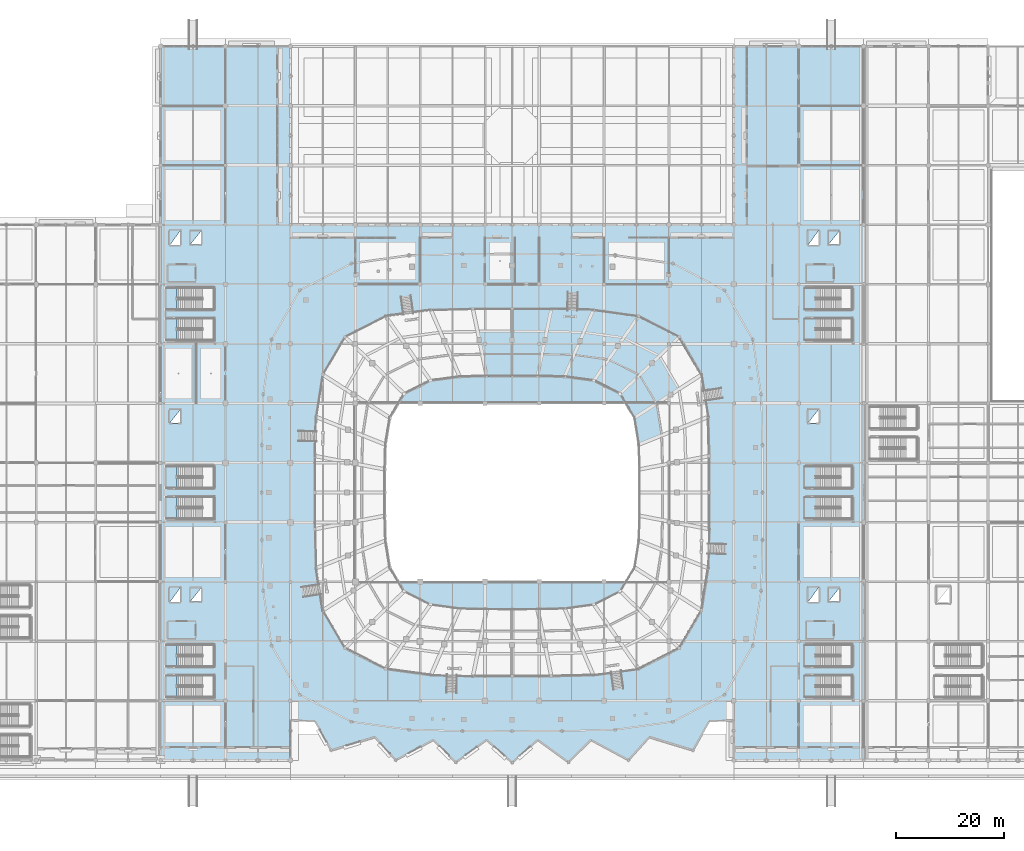
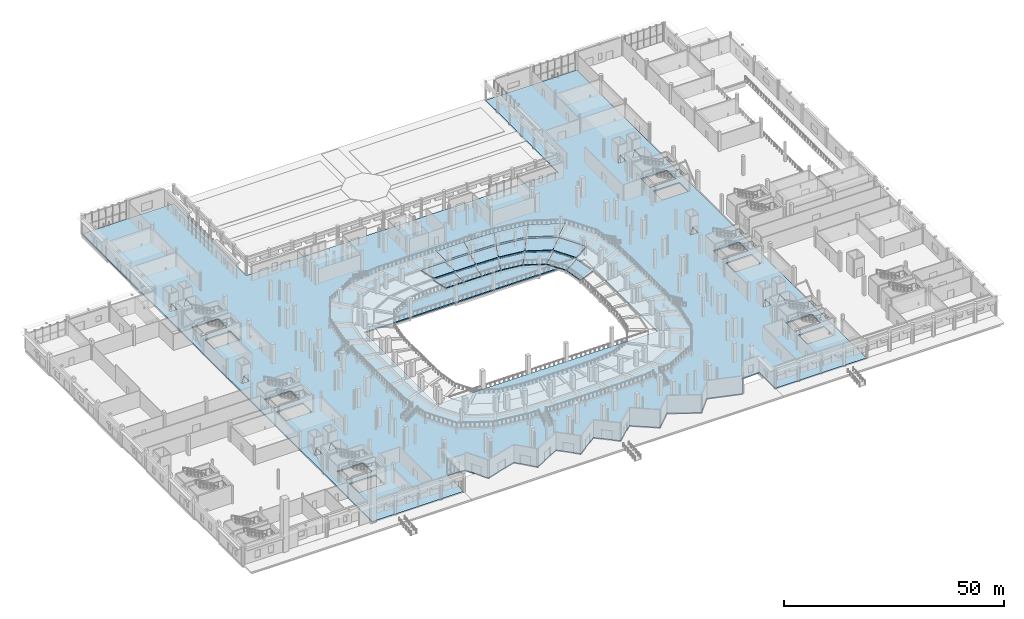
# One storey, part 46 of 120: 18 slabs.
"""IFC4 building model written with IfcOpenShell, lengths in metres."""

from ifc_helpers import new_model, si_unit, direction, frame, origin, place, context, subcontext, project, spatial, polyline, outline, extrude, material, layer, layer_set, type_object, element, save


model = new_model("IFC4")

# Units and contexts
model_context = context("Model", 3, precision=1e-05, world=origin(), true_north=direction((0.0, 1.0)))
body_context = subcontext(model_context, "Body", "Model", "MODEL_VIEW")
ifc_project = project(units=[si_unit("LENGTHUNIT", "METRE"), si_unit("AREAUNIT", "SQUARE_METRE"), si_unit("VOLUMEUNIT", "CUBIC_METRE"), si_unit("PLANEANGLEUNIT", "RADIAN"), si_unit("MASSUNIT", "GRAM", prefix="KILO")], contexts=[model_context])

# Site, building, storey
site_placement = place(None, origin())
site = spatial("IfcSite", under=ifc_project, at=site_placement, CompositionType="ELEMENT")
building_placement = place(site_placement, origin())
building = spatial("IfcBuilding", under=site, at=building_placement, Name="Luwafu Chhajja Arena", CompositionType="ELEMENT")
storey_placement = place(building_placement, origin())
storey = spatial("IfcBuildingStorey", under=building, at=storey_placement, Name="L00", CompositionType="ELEMENT", Elevation=0.0)

# Slabs
ifc_material_1 = material(Name="Concrete C35/45", Category="concrete")
ifc_layer_1 = layer(ifc_material_1, 0.340087890625, Name="Concrete C35/45")
ifc_layer_set_1 = layer_set([ifc_layer_1], Name="Concrete C35/45")
slab_type_1 = type_object("IfcSlabType", Name="Main Concourse Suspended Slab 340", PredefinedType="FLOOR", material=ifc_layer_set_1)
slab_1_placement = place(storey_placement, frame((0.0, 0.0, -0.340087890625)))
element("IfcSlab", 1, at=slab_1_placement, inside=storey, type_object=slab_type_1, Name="L00 Structural Floor Slab 1", PredefinedType="FLOOR", context=body_context, shape_type="SweptSolid", body=[
    extrude(outline(polyline([(58.0, 132.0), (58.0, 99.0), (140.0, 99.0), (140.0, 132.0), (163.949951171875, 132.0), (163.949951171875, 0.0), (140.0, 0.0), (140.0, 7.407958984375), (135.426025390625, 7.237060546875), (132.427978515625, 1.864013671875), (124.364013671875, 4.31591796875), (120.510986328125, 0.051025390625), (113.56689453125, 3.77587890625), (109.412109375, -0.343017578125), (103.72802734375, 3.7900390625), (99.0, -0.39990234375), (94.27197265625, 3.7900390625), (88.587890625, -0.343017578125), (84.43310546875, 3.77587890625), (77.489013671875, 0.051025390625), (73.635986328125, 4.31591796875), (65.572998046875, 1.864013671875), (62.573974609375, 7.237060546875), (58.0, 7.407958984375), (58.0, 0.0), (34.050048828125, 0.0), (34.050048828125, 99.050048828125), (34.0, 99.050048828125), (34.0, 132.0), (58.0, 132.0)]), holes=[polyline([(155.06494140625, 11.64990234375), (161.89990234375, 11.64990234375), (161.89990234375, 15.68994140625), (155.06494140625, 15.68994140625), (155.06494140625, 11.64990234375)]), polyline([(155.06494140625, 44.64990234375), (161.89990234375, 44.64990234375), (161.89990234375, 48.68994140625), (155.06494140625, 48.68994140625), (155.06494140625, 44.64990234375)]), polyline([(155.06494140625, 77.64990234375), (161.89990234375, 77.64990234375), (161.89990234375, 81.68994140625), (155.06494140625, 81.68994140625), (155.06494140625, 77.64990234375)]), polyline([(155.06494140625, 21.35009765625), (155.06494140625, 17.31005859375), (161.89990234375, 17.31005859375), (161.89990234375, 21.35009765625), (155.06494140625, 21.35009765625)]), polyline([(155.06494140625, 54.35009765625), (155.06494140625, 50.31005859375), (161.89990234375, 50.31005859375), (161.89990234375, 54.35009765625), (155.06494140625, 54.35009765625)]), polyline([(155.06494140625, 87.35009765625), (155.06494140625, 83.31005859375), (161.89990234375, 83.31005859375), (161.89990234375, 87.35009765625), (155.06494140625, 87.35009765625)]), polyline([(159.469970703125, 31.820068359375), (157.530029296875, 29.3798828125), (159.469970703125, 29.3798828125), (159.469970703125, 31.820068359375)]), polyline([(159.469970703125, 95.3798828125), (159.469970703125, 97.820068359375), (157.530029296875, 95.3798828125), (159.469970703125, 95.3798828125)]), polyline([(155.669921875, 97.945068359375), (153.72998046875, 95.2548828125), (155.669921875, 95.2548828125), (155.669921875, 97.945068359375)]), polyline([(155.669921875, 64.820068359375), (153.72998046875, 62.3798828125), (155.669921875, 62.3798828125), (155.669921875, 64.820068359375)]), polyline([(153.72998046875, 29.2548828125), (155.669921875, 29.2548828125), (155.669921875, 31.945068359375), (153.72998046875, 29.2548828125)]), polyline([(70.0, 33.0), (128.0, 33.0), (128.0, 66.0), (70.0, 66.0), (70.0, 33.0)]), polyline([(43.89990234375, 81.68994140625), (37.06494140625, 81.68994140625), (37.06494140625, 77.64990234375), (43.89990234375, 77.64990234375), (43.89990234375, 81.68994140625)]), polyline([(43.89990234375, 48.68994140625), (37.06494140625, 48.68994140625), (37.06494140625, 44.64990234375), (43.89990234375, 44.64990234375), (43.89990234375, 48.68994140625)]), polyline([(43.89990234375, 15.68994140625), (37.06494140625, 15.68994140625), (37.06494140625, 11.64990234375), (43.89990234375, 11.64990234375), (43.89990234375, 15.68994140625)]), polyline([(43.89990234375, 83.31005859375), (43.89990234375, 87.35009765625), (37.06494140625, 87.35009765625), (37.06494140625, 83.31005859375), (43.89990234375, 83.31005859375)]), polyline([(43.89990234375, 50.31005859375), (43.89990234375, 54.35009765625), (37.06494140625, 54.35009765625), (37.06494140625, 50.31005859375), (43.89990234375, 50.31005859375)]), polyline([(43.89990234375, 17.31005859375), (43.89990234375, 21.35009765625), (37.06494140625, 21.35009765625), (37.06494140625, 17.31005859375), (43.89990234375, 17.31005859375)]), polyline([(39.530029296875, 95.3798828125), (41.469970703125, 95.3798828125), (41.469970703125, 97.820068359375), (39.530029296875, 95.3798828125)]), polyline([(41.469970703125, 29.3798828125), (41.469970703125, 31.820068359375), (39.530029296875, 29.3798828125), (41.469970703125, 29.3798828125)]), polyline([(35.72998046875, 62.3798828125), (37.669921875, 62.3798828125), (37.669921875, 64.820068359375), (35.72998046875, 62.3798828125)]), polyline([(37.669921875, 31.945068359375), (35.72998046875, 29.2548828125), (37.669921875, 29.2548828125), (37.669921875, 31.945068359375)]), polyline([(37.669921875, 95.2548828125), (37.669921875, 97.945068359375), (35.72998046875, 95.2548828125), (37.669921875, 95.2548828125)])]), origin(), (0.0, 0.0, 1.0), 0.340087890625),
])
ifc_material_2 = material(Name="Precast concrete C40/50", Category="concrete")
ifc_layer_2 = layer(ifc_material_2, 0.219970703125, Name="Precast concrete C40/50")
ifc_layer_set_2 = layer_set([ifc_layer_2], Name="Precast concrete C40/50")
slab_type_2 = type_object("IfcSlabType", Name="Precast Lower Seating Tier Slab 220", PredefinedType="USERDEFINED", material=ifc_layer_set_2)
slab_2_placement = place(storey_placement, frame((0.0, 0.0, 0.6298828125)))
element("IfcSlab", 2, at=slab_2_placement, inside=storey, type_object=slab_type_2, Name="Stand Lower Tier Sector 03 Row Band 1", ObjectType="SEATING TIER", PredefinedType="USERDEFINED", context=body_context, shape_type="SweptSolid", body=[
    extrude(outline(polyline([(122.364013671875, 58.35400390625), (121.57421875, 63.2998046875), (125.704833984375, 65.931396484375), (126.63916015625, 60.04248046875), (122.364013671875, 58.35400390625)])), origin(), (0.0, 0.0, 1.0), 0.22021484375),
])
slab_3_placement = place(storey_placement, frame((0.0, 0.0, 0.6298828125)))
element("IfcSlab", 3, at=slab_3_placement, inside=storey, type_object=slab_type_2, Name="Stand Lower Tier Sector 04 Row Band 1", ObjectType="SEATING TIER", PredefinedType="USERDEFINED", context=body_context, shape_type="SweptSolid", body=[
    extrude(outline(polyline([(121.57421875, 63.2998046875), (118.9248046875, 67.72900390625), (122.570556640625, 71.205322265625), (125.704833984375, 65.931396484375), (121.57421875, 63.2998046875)])), origin(), (0.0, 0.0, 1.0), 0.22021484375),
])
slab_4_placement = place(storey_placement, frame((0.0, 0.0, 1.1298828125)))
element("IfcSlab", 4, at=slab_4_placement, inside=storey, type_object=slab_type_2, Name="Stand Lower Tier Sector 04 Row Band 2", ObjectType="SEATING TIER", PredefinedType="USERDEFINED", context=body_context, shape_type="SweptSolid", body=[
    extrude(outline(polyline([(125.704833984375, 65.931396484375), (122.570556640625, 71.205322265625), (126.21630859375, 74.766357421875), (129.83544921875, 68.627197265625), (125.704833984375, 65.931396484375)])), origin(), (0.0, 0.0, 1.0), 0.22021484375),
])
slab_5_placement = place(storey_placement, frame((0.0, 0.0, 0.6298828125)))
element("IfcSlab", 5, at=slab_5_placement, inside=storey, type_object=slab_type_2, Name="Stand Lower Tier Sector 05 Row Band 1", ObjectType="SEATING TIER", PredefinedType="USERDEFINED", context=body_context, shape_type="SweptSolid", body=[
    extrude(outline(polyline([(118.9248046875, 67.72900390625), (114.08349609375, 70.153076171875), (116.843505859375, 74.091552734375), (122.570556640625, 71.205322265625), (118.9248046875, 67.72900390625)])), origin(), (0.0, 0.0, 1.0), 0.22021484375),
])
slab_6_placement = place(storey_placement, frame((0.0, 0.0, 1.1298828125)))
element("IfcSlab", 6, at=slab_6_placement, inside=storey, type_object=slab_type_2, Name="Stand Lower Tier Sector 05 Row Band 2", ObjectType="SEATING TIER", PredefinedType="USERDEFINED", context=body_context, shape_type="SweptSolid", body=[
    extrude(outline(polyline([(122.570556640625, 71.205322265625), (116.843505859375, 74.091552734375), (119.603515625, 78.126220703125), (126.21630859375, 74.766357421875), (122.570556640625, 71.205322265625)])), origin(), (0.0, 0.0, 1.0), 0.22021484375),
])
slab_7_placement = place(storey_placement, frame((0.0, 0.0, 1.6298828125)))
element("IfcSlab", 7, at=slab_7_placement, inside=storey, type_object=slab_type_2, Name="Stand Lower Tier Sector 05 Row Band 3", ObjectType="SEATING TIER", PredefinedType="USERDEFINED", context=body_context, shape_type="SweptSolid", body=[
    extrude(outline(polyline([(126.21630859375, 74.766357421875), (119.603515625, 78.126220703125), (122.427734375, 82.16064453125), (129.947021484375, 78.327392578125), (126.21630859375, 74.766357421875)])), origin(), (0.0, 0.0, 1.0), 0.22021484375),
])
slab_8_placement = place(storey_placement, frame((0.0, 0.0, 0.6298828125)))
element("IfcSlab", 8, at=slab_8_placement, inside=storey, type_object=slab_type_2, Name="Stand Lower Tier Sector 06 Row Band 1", ObjectType="SEATING TIER", PredefinedType="USERDEFINED", context=body_context, shape_type="SweptSolid", body=[
    extrude(outline(polyline([(114.08349609375, 70.153076171875), (108.677734375, 70.87548828125), (110.448486328125, 74.951904296875), (116.843505859375, 74.091552734375), (114.08349609375, 70.153076171875)])), origin(), (0.0, 0.0, 1.0), 0.22021484375),
])
slab_9_placement = place(storey_placement, frame((0.0, 0.0, 1.1298828125)))
element("IfcSlab", 9, at=slab_9_placement, inside=storey, type_object=slab_type_2, Name="Stand Lower Tier Sector 06 Row Band 2", ObjectType="SEATING TIER", PredefinedType="USERDEFINED", context=body_context, shape_type="SweptSolid", body=[
    extrude(outline(polyline([(116.843505859375, 74.091552734375), (110.448486328125, 74.951904296875), (112.21923828125, 79.12744140625), (119.603515625, 78.126220703125), (116.843505859375, 74.091552734375)])), origin(), (0.0, 0.0, 1.0), 0.22021484375),
])
slab_10_placement = place(storey_placement, frame((0.0, 0.0, 1.6298828125)))
element("IfcSlab", 10, at=slab_10_placement, inside=storey, type_object=slab_type_2, Name="Stand Lower Tier Sector 06 Row Band 3", ObjectType="SEATING TIER", PredefinedType="USERDEFINED", context=body_context, shape_type="SweptSolid", body=[
    extrude(outline(polyline([(119.603515625, 78.126220703125), (112.21923828125, 79.12744140625), (114.03125, 83.30322265625), (122.427734375, 82.16064453125), (119.603515625, 78.126220703125)])), origin(), (0.0, 0.0, 1.0), 0.22021484375),
])
slab_11_placement = place(storey_placement, frame((0.0, 0.0, 0.6298828125)))
element("IfcSlab", 11, at=slab_11_placement, inside=storey, type_object=slab_type_2, Name="Stand Lower Tier Sector 07 Row Band 1", ObjectType="SEATING TIER", PredefinedType="USERDEFINED", context=body_context, shape_type="SweptSolid", body=[
    extrude(outline(polyline([(108.677734375, 70.87548828125), (103.673095703125, 70.994140625), (104.5283203125, 75.093017578125), (110.448486328125, 74.951904296875), (108.677734375, 70.87548828125)])), origin(), (0.0, 0.0, 1.0), 0.22021484375),
])
slab_12_placement = place(storey_placement, frame((0.0, 0.0, 1.1298828125)))
element("IfcSlab", 12, at=slab_12_placement, inside=storey, type_object=slab_type_2, Name="Stand Lower Tier Sector 07 Row Band 2", ObjectType="SEATING TIER", PredefinedType="USERDEFINED", context=body_context, shape_type="SweptSolid", body=[
    extrude(outline(polyline([(110.448486328125, 74.951904296875), (104.5283203125, 75.093017578125), (105.38330078125, 79.2919921875), (112.21923828125, 79.12744140625), (110.448486328125, 74.951904296875)])), origin(), (0.0, 0.0, 1.0), 0.22021484375),
])
slab_13_placement = place(storey_placement, frame((0.0, 0.0, 1.6298828125)))
element("IfcSlab", 13, at=slab_13_placement, inside=storey, type_object=slab_type_2, Name="Stand Lower Tier Sector 07 Row Band 3", ObjectType="SEATING TIER", PredefinedType="USERDEFINED", context=body_context, shape_type="SweptSolid", body=[
    extrude(outline(polyline([(112.21923828125, 79.12744140625), (105.38330078125, 79.2919921875), (106.25830078125, 83.49072265625), (114.03125, 83.30322265625), (112.21923828125, 79.12744140625)])), origin(), (0.0, 0.0, 1.0), 0.22021484375),
])
slab_14_placement = place(storey_placement, frame((0.0, 0.0, 0.6298828125)))
element("IfcSlab", 14, at=slab_14_placement, inside=storey, type_object=slab_type_2, Name="Stand Lower Tier Sector 08 Row Band 1", ObjectType="SEATING TIER", PredefinedType="USERDEFINED", context=body_context, shape_type="SweptSolid", body=[
    extrude(outline(polyline([(103.673095703125, 70.994140625), (99.0, 71.0), (99.0, 75.10009765625), (104.5283203125, 75.093017578125), (103.673095703125, 70.994140625)])), origin(), (0.0, 0.0, 1.0), 0.22021484375),
])
slab_15_placement = place(storey_placement, frame((0.0, 0.0, 1.1298828125)))
element("IfcSlab", 15, at=slab_15_placement, inside=storey, type_object=slab_type_2, Name="Stand Lower Tier Sector 08 Row Band 2", ObjectType="SEATING TIER", PredefinedType="USERDEFINED", context=body_context, shape_type="SweptSolid", body=[
    extrude(outline(polyline([(104.5283203125, 75.093017578125), (99.0, 75.10009765625), (99.0, 79.300048828125), (105.38330078125, 79.2919921875), (104.5283203125, 75.093017578125)])), origin(), (0.0, 0.0, 1.0), 0.22021484375),
])
slab_16_placement = place(storey_placement, frame((0.0, 0.0, 1.6298828125)))
element("IfcSlab", 16, at=slab_16_placement, inside=storey, type_object=slab_type_2, Name="Stand Lower Tier Sector 08 Row Band 3", ObjectType="SEATING TIER", PredefinedType="USERDEFINED", context=body_context, shape_type="SweptSolid", body=[
    extrude(outline(polyline([(105.38330078125, 79.2919921875), (99.0, 79.300048828125), (99.0, 83.5), (106.25830078125, 83.49072265625), (105.38330078125, 79.2919921875)])), origin(), (0.0, 0.0, 1.0), 0.22021484375),
])
slab_17_placement = place(storey_placement, frame((0.0, 0.0, 0.6298828125)))
element("IfcSlab", 17, at=slab_17_placement, inside=storey, type_object=slab_type_2, Name="Stand Lower Tier Sector 09 Row Band 1", ObjectType="SEATING TIER", PredefinedType="USERDEFINED", context=body_context, shape_type="SweptSolid", body=[
    extrude(outline(polyline([(99.0, 71.0), (94.326904296875, 70.994140625), (93.4716796875, 75.093017578125), (99.0, 75.10009765625), (99.0, 71.0)])), origin(), (0.0, 0.0, 1.0), 0.22021484375),
])
slab_18_placement = place(storey_placement, frame((0.0, 0.0, 1.1298828125)))
element("IfcSlab", 18, at=slab_18_placement, inside=storey, type_object=slab_type_2, Name="Stand Lower Tier Sector 09 Row Band 2", ObjectType="SEATING TIER", PredefinedType="USERDEFINED", context=body_context, shape_type="SweptSolid", body=[
    extrude(outline(polyline([(99.0, 75.10009765625), (93.4716796875, 75.093017578125), (92.61669921875, 79.2919921875), (99.0, 79.300048828125), (99.0, 75.10009765625)])), origin(), (0.0, 0.0, 1.0), 0.22021484375),
])

save(model, "model.ifc")
